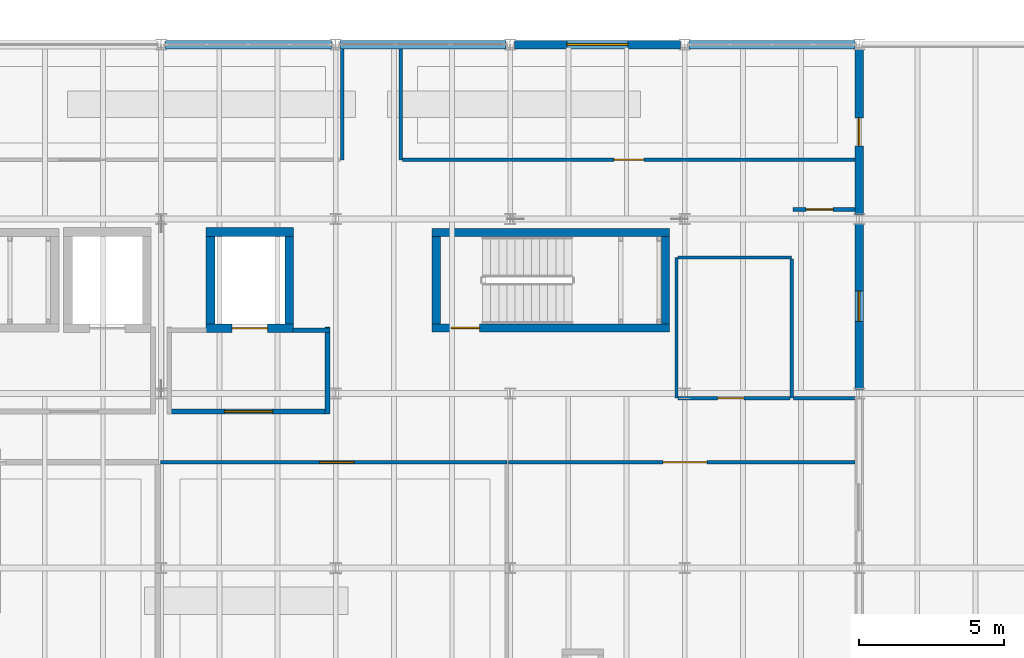
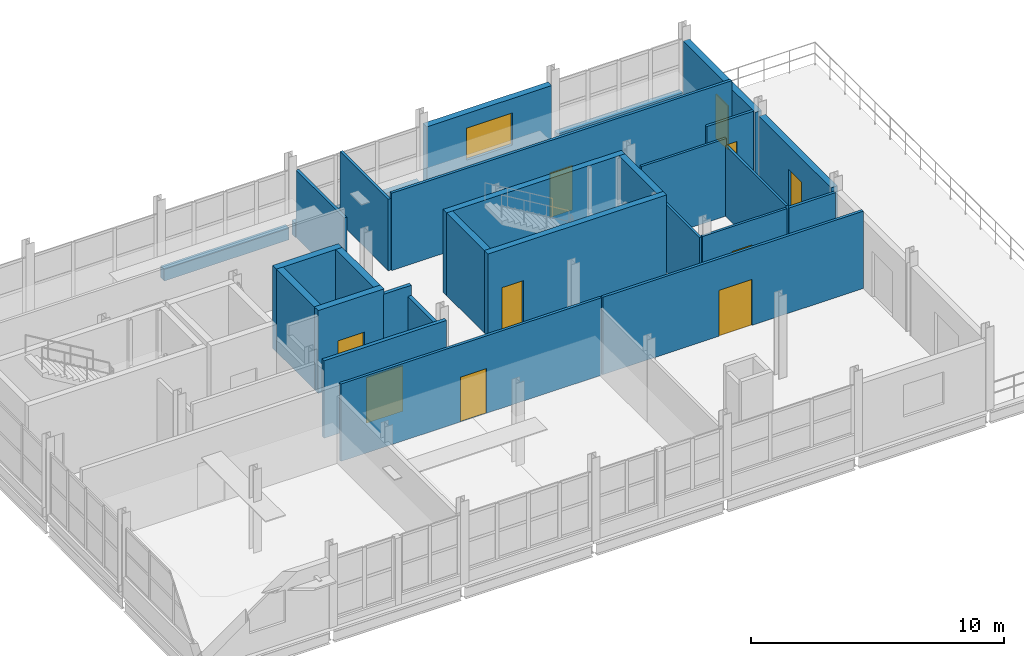
# One storey, part 39 of 45: 28 walls, 10 doors, 1 window, 11 openings.
"""IFC4 building model written with IfcOpenShell, lengths in metres."""

import ifcopenshell
import ifcopenshell.guid

model = None  # the IFC model being written
_history = None  # IfcOwnerHistory: only IFC2X3 demands one
_inside = {}  # id of a spatial element -> (the spatial element, [elements in it])
_under = {}  # id of a project, library or spatial element -> (it, [spatial elements below it])
_declared = {}  # id of a project -> (the project, [libraries it declares])
_typed = {}  # id of a type object -> (the type object, [elements of that type])
_made_of = {}  # id of a material, layer set ... -> (it, [elements and type objects made of it])


def new_model(schema):
    """Start an empty IFC model of exactly this schema.

    Asked for "IFC4X3", IfcOpenShell would pick the latest addendum, in which some entities
    have other attributes; the version numbers below select the first issue.
    IFC2X3 requires an IfcOwnerHistory on every rooted entity: one is made here for all.
    """
    global model, _history
    if schema == "IFC4X3":
        model = ifcopenshell.file(schema_version=(4, 3, 0, 0))
    else:
        model = ifcopenshell.file(schema=schema)
    _inside.clear()
    _under.clear()
    _declared.clear()
    _typed.clear()
    _made_of.clear()
    _history = None
    if model.schema == "IFC2X3":
        org = make("IfcOrganization", Name="unknown")
        user = make(
            "IfcPersonAndOrganization",
            ThePerson=make("IfcPerson", FamilyName="unknown"),
            TheOrganization=org,
        )
        app = make(
            "IfcApplication",
            ApplicationDeveloper=org,
            Version="unknown",
            ApplicationFullName="unknown",
            ApplicationIdentifier="unknown",
        )
        _history = make(
            "IfcOwnerHistory",
            OwningUser=user,
            OwningApplication=app,
            ChangeAction="ADDED",
            CreationDate=0,
        )
    return model


def make(cls, **values):
    """One entity of the class cls with the attributes given. An attribute that is None is left unset."""
    return model.create_entity(
        cls, **{name: value for name, value in values.items() if value is not None}
    )


def rooted(cls, **values):
    """An entity with a GlobalId (a new one), such as an element, a storey or a relation."""
    return make(cls, GlobalId=ifcopenshell.guid.new(), OwnerHistory=_history, **values)


def si_unit(unit_type, name, prefix=None):
    """IfcSIUnit, for example si_unit("LENGTHUNIT", "METRE", prefix="MILLI")."""
    return make("IfcSIUnit", UnitType=unit_type, Prefix=prefix, Name=name)


def assignment(units):
    """IfcUnitAssignment: the units of a project."""
    return None if units is None else make("IfcUnitAssignment", Units=units)


def point(xyz):
    """IfcCartesianPoint."""
    return None if xyz is None else make("IfcCartesianPoint", Coordinates=xyz)


def direction(xyz):
    """IfcDirection."""
    return None if xyz is None else make("IfcDirection", DirectionRatios=xyz)


def frame(location, z_axis=None, x_axis=None):
    """IfcAxis2Placement3D, a coordinate frame: its origin and axes. An axis left out is left unset."""
    return make(
        "IfcAxis2Placement3D",
        Location=point(location),
        Axis=direction(z_axis),
        RefDirection=direction(x_axis),
    )


def frame_2d(location, x_axis=None):
    """IfcAxis2Placement2D, a coordinate frame in the plane: its origin and x axis."""
    return make(
        "IfcAxis2Placement2D", Location=point(location), RefDirection=direction(x_axis)
    )


def origin():
    """The frame at (0, 0, 0) with its axes left unset."""
    return frame((0.0, 0.0, 0.0))


def place(relative_to, where):
    """IfcLocalPlacement: puts the frame where relative to a parent placement (None: the world)."""
    return make(
        "IfcLocalPlacement", PlacementRelTo=relative_to, RelativePlacement=where
    )


def context(
    kind, dimensions, precision=None, world=None, true_north=None, identifier=None
):
    """IfcGeometricRepresentationContext, for example the 3D "Model" context."""
    return make(
        "IfcGeometricRepresentationContext",
        ContextIdentifier=identifier,
        ContextType=kind,
        CoordinateSpaceDimension=dimensions,
        Precision=precision,
        WorldCoordinateSystem=world,
        TrueNorth=true_north,
    )


def subcontext(parent, identifier, kind, view, scale=None):
    """IfcGeometricRepresentationSubContext, for example "Body" below "Model"."""
    return make(
        "IfcGeometricRepresentationSubContext",
        ContextIdentifier=identifier,
        ContextType=kind,
        ParentContext=parent,
        TargetScale=scale,
        TargetView=view,
    )


def project(units=None, contexts=None):
    """IfcProject with its units and contexts."""
    return rooted(
        "IfcProject",
        Name="project",
        RepresentationContexts=contexts,
        UnitsInContext=assignment(units),
    )


def spatial(cls, under=None, at=None, **own):
    """A site, building, storey or space (cls), placed at a placement, below another one or the project."""
    s = rooted(cls, ObjectPlacement=at, **own)
    if under is not None:
        _under.setdefault(under.id(), (under, []))[1].append(s)
    return s


def profile(cls, at=None, kind="AREA", **sizes):
    """A parametric profile (cls). Its sizes go by their IFC names, for example OverallWidth=200.0."""
    return make(cls, ProfileType=kind, Position=at, **sizes)


def rectangle(**sizes):
    """IfcRectangleProfileDef."""
    return profile("IfcRectangleProfileDef", **sizes)


def extrude(swept, where, along, depth):
    """IfcExtrudedAreaSolid: the profile swept, set in the frame where, extruded along a direction by depth."""
    return make(
        "IfcExtrudedAreaSolid",
        SweptArea=swept,
        Position=where,
        ExtrudedDirection=direction(along),
        Depth=depth,
    )


def shape(context_of_items, identifier, shape_type, items):
    """IfcShapeRepresentation: the items that make up one representation, for example the "Body"."""
    return make(
        "IfcShapeRepresentation",
        ContextOfItems=context_of_items,
        RepresentationIdentifier=identifier,
        RepresentationType=shape_type,
        Items=items,
    )


def material(Name=None, Category=None):
    """IfcMaterial."""
    return make("IfcMaterial", Name=Name, Category=Category)


def layer(
    of_material, thickness, ventilated=None, Name=None, Category=None, Priority=None
):
    """IfcMaterialLayer: one layer of a wall or slab, of a material (None: an air gap)."""
    return make(
        "IfcMaterialLayer",
        Material=of_material,
        LayerThickness=thickness,
        IsVentilated=ventilated,
        Name=Name,
        Category=Category,
        Priority=Priority,
    )


def layer_set(layers, Name=None):
    """IfcMaterialLayerSet."""
    return make("IfcMaterialLayerSet", MaterialLayers=layers, LayerSetName=Name)


def made_of(thing, what):
    """Note that an element or type object is made of a material, layer set ...; save() writes the relation."""
    if what is not None:
        _made_of.setdefault(what.id(), (what, []))[1].append(thing)
    return thing


def type_object(cls, material=None, **own):
    """A type object (cls), such as IfcWallType, which elements share."""
    return made_of(rooted(cls, **own), material)


def element(
    cls,
    number,
    at=None,
    inside=None,
    cuts=None,
    type_object=None,
    material=None,
    context=None,
    identifier="Body",
    shape_type=None,
    held_by="IfcProductDefinitionShape",
    body=None,
    shapes=None,
    **own,
):
    """One element of the class cls, such as IfcWall. Its Tag is "e" and its number.

    at: its placement. inside: the storey or other place that contains it. cuts: it is an
    opening in that element (IfcRelVoidsElement). A single representation is given by context,
    identifier, shape_type and body (its items); several are given by shapes. held_by: the class
    of the entity that holds the representations. save() writes the other relations.
    """
    e = rooted(cls, Tag="e%d" % number, ObjectPlacement=at, **own)
    if body is not None:
        shapes = [shape(context, identifier, shape_type, body)]
    if shapes is not None:
        e.Representation = make(held_by, Representations=shapes)
    if inside is not None:
        _inside.setdefault(inside.id(), (inside, []))[1].append(e)
    if cuts is not None:
        rooted(
            "IfcRelVoidsElement", RelatingBuildingElement=cuts, RelatedOpeningElement=e
        )
    if type_object is not None:
        _typed.setdefault(type_object.id(), (type_object, []))[1].append(e)
    return made_of(e, material)


def fill(opening, filler):
    """IfcRelFillsElement: the door or window that sits in an opening."""
    return rooted(
        "IfcRelFillsElement",
        RelatingOpeningElement=opening,
        RelatedBuildingElement=filler,
    )


def aggregate(whole, parts):
    """IfcRelAggregates: a whole, such as a stair, and the parts it consists of."""
    return rooted("IfcRelAggregates", RelatingObject=whole, RelatedObjects=parts)


def save(model, path):
    """Write the relations noted so far, then the file.

    IfcRelAggregates (storeys below a building ...), IfcRelContainedInSpatialStructure (elements
    in a storey), IfcRelDefinesByType, IfcRelAssociatesMaterial and IfcRelDeclares: one each for
    every whole, place, type object, material and project.
    """
    for whole, parts in _under.values():
        aggregate(whole, parts)
    for where, things in _inside.values():
        rooted(
            "IfcRelContainedInSpatialStructure",
            RelatedElements=things,
            RelatingStructure=where,
        )
    for kind, things in _typed.values():
        rooted("IfcRelDefinesByType", RelatedObjects=things, RelatingType=kind)
    for what, things in _made_of.values():
        rooted("IfcRelAssociatesMaterial", RelatedObjects=things, RelatingMaterial=what)
    for by, libraries in _declared.values():
        rooted("IfcRelDeclares", RelatingContext=by, RelatedDefinitions=libraries)
    model.write(path)


model = new_model("IFC4")

# Units and contexts
model_context = context("Model", 3, precision=1e-05, world=origin(), true_north=direction((0.0, 1.0)))
body_context = subcontext(model_context, "Body", "Model", "MODEL_VIEW")
ifc_project = project(units=[si_unit("LENGTHUNIT", "METRE"), si_unit("AREAUNIT", "SQUARE_METRE"), si_unit("VOLUMEUNIT", "CUBIC_METRE"), si_unit("PLANEANGLEUNIT", "RADIAN"), si_unit("MASSUNIT", "GRAM", prefix="KILO")], contexts=[model_context])

# Site, building, storey
site_placement = place(None, origin())
site = spatial("IfcSite", under=ifc_project, at=site_placement, CompositionType="ELEMENT")
building_placement = place(site_placement, origin())
building = spatial("IfcBuilding", under=site, at=building_placement, Name="Siltcreek Boulevard Central Fire Station", CompositionType="ELEMENT")
storey_placement = place(building_placement, frame((0.0, 0.0, 10.0)))
storey = spatial("IfcBuildingStorey", under=building, at=storey_placement, Name="L03", CompositionType="ELEMENT", Elevation=10.0)

# Wall, opening, door
ifc_material_1 = material(Name="Concrete C40/50", Category="concrete")
ifc_layer_1 = layer(ifc_material_1, 0.280029296875, Name="Concrete C40/50")
ifc_layer_set_1 = layer_set([ifc_layer_1], Name="Concrete C40/50")
wall_type_1 = type_object("IfcWallType", Name="CW_SHEAR280", PredefinedType="SHEAR", material=ifc_layer_set_1)
wall_1_placement = place(storey_placement, frame((145.52001953125, 102.4599609375, 0.0), z_axis=(0.0, 0.0, 1.0), x_axis=(1.0, 0.0, 0.0)))
wall_1 = element("IfcWall", 1, at=wall_1_placement, inside=storey, type_object=wall_type_1, Name="L03 ST-V5B stair enclosure south shear wall", PredefinedType="SHEAR", context=body_context, shape_type="SweptSolid", body=[
    extrude(rectangle(XDim=8.159912109375, YDim=0.280029296875, at=frame_2d((4.080078125, 0.0))), origin(), (0.0, 0.0, 1.0), 4.0),
])
opening_1_placement = place(wall_1_placement, frame((0.64990234375, 0.0, 0.0)))
opening_1 = element("IfcOpeningElement", 2, at=opening_1_placement, cuts=wall_1, Name="Opening SD-041", PredefinedType="OPENING", context=body_context, shape_type="SweptSolid", body=[
    extrude(rectangle(XDim=0.97998046875, YDim=2.14990234375, at=frame_2d((0.489990234375, 1.074951171875))), frame((0.0, 0.14990234375, 0.0), z_axis=(0.0, -1.0, 0.0), x_axis=(1.0, 0.0, 0.0)), (0.0, 0.0, 1.0), 0.300048828125),
])
ifc_material_2 = material(Name="Hollow metal 90-min enclosed stair door")
door_type_1 = type_object("IfcDoorType", Name="DR_ST_098X215", OperationType="NOTDEFINED", PredefinedType="DOOR", material=ifc_material_2)
door_1_placement = place(opening_1_placement, origin())
door_1 = element("IfcDoor", 3, at=door_1_placement, inside=storey, type_object=door_type_1, Name="L03 ST-V5B enclosed exit stair door SD-041", OperationType="SINGLE_SWING_RIGHT", OverallHeight=2.14990234375, OverallWidth=0.97998046875, PredefinedType="DOOR", context=body_context, shape_type="SweptSolid", body=[
    extrude(rectangle(XDim=0.97998046875, YDim=2.14990234375, at=frame_2d((0.489990234375, 1.074951171875))), frame((0.0, 0.02490234375, 0.0), z_axis=(0.0, -1.0, 0.0), x_axis=(1.0, 0.0, 0.0)), (0.0, 0.0, 1.0), 0.050048828125),
])
fill(opening_1, door_1)

# Walls
wall_2_placement = place(storey_placement, frame((153.679931640625, 105.739990234375, 0.0), z_axis=(0.0, 0.0, 1.0), x_axis=(-1.0, 0.0, 0.0)))
element("IfcWall", 4, at=wall_2_placement, inside=storey, type_object=wall_type_1, Name="L03 ST-V5B stair enclosure north shear wall", PredefinedType="SHEAR", context=body_context, shape_type="SweptSolid", body=[
    extrude(rectangle(XDim=8.159912109375, YDim=0.280029296875, at=frame_2d((4.080078125, 0.0))), origin(), (0.0, 0.0, 1.0), 4.0),
])
for number, where, z_axis, x_axis, name in (
    (5, (145.659912109375, 105.60009765625, 0.0), (0.0, 0.0, 1.0), (0.0, -1.0, 0.0), "L03 ST-V5B stair enclosure west shear wall"),
    (6, (153.5400390625, 102.60009765625, 0.0), (0.0, 0.0, 1.0), (0.0, 1.0, 0.0), "L03 ST-V5B stair enclosure east shear wall"),
):
    element("IfcWall", number, at=place(storey_placement, frame(where, z_axis=z_axis, x_axis=x_axis)), inside=storey, type_object=wall_type_1, Name=name, PredefinedType="SHEAR", context=body_context, shape_type="SweptSolid", body=[
        extrude(rectangle(XDim=3.0, YDim=0.280029296875, at=frame_2d((1.5, 0.0))), origin(), (0.0, 0.0, 1.0), 4.0),
    ])

# Wall, opening, door
ifc_layer_2 = layer(ifc_material_1, 0.304931640625, Name="Concrete C40/50")
ifc_layer_set_2 = layer_set([ifc_layer_2], Name="Concrete C40/50")
wall_type_2 = type_object("IfcWallType", Name="CW_SHEAR305", PredefinedType="SHEAR", material=ifc_layer_set_2)
wall_3_placement = place(storey_placement, frame((137.7451171875, 102.447509765625, 0.0), z_axis=(0.0, 0.0, 1.0), x_axis=(1.0, 0.0, 0.0)))
wall_3 = element("IfcWall", 7, at=wall_3_placement, inside=storey, type_object=wall_type_2, Name="L03 EL-02 elevator shaft south shear wall", PredefinedType="SHEAR", context=body_context, shape_type="SweptSolid", body=[
    extrude(rectangle(XDim=3.009765625, YDim=0.304931640625, at=frame_2d((1.5048828125, 0.0))), origin(), (0.0, 0.0, 1.0), 4.0),
])
opening_2_placement = place(wall_3_placement, frame((0.89501953125, 0.0, 0.0)))
opening_2 = element("IfcOpeningElement", 8, at=opening_2_placement, cuts=wall_3, Name="Opening LD02", PredefinedType="OPENING", context=body_context, shape_type="SweptSolid", body=[
    extrude(rectangle(XDim=1.219970703125, YDim=2.219970703125, at=frame_2d((0.60986328125, 1.10986328125))), frame((0.0, 0.162353515625, 0.0), z_axis=(0.0, -1.0, 0.0), x_axis=(1.0, 0.0, 0.0)), (0.0, 0.0, 1.0), 0.324951171875),
])
ifc_material_3 = material(Name="Stainless steel firefighting sliding elevator landing door", Category="steel")
door_type_2 = type_object("IfcDoorType", Name="DR_LD_122X222", OperationType="NOTDEFINED", PredefinedType="DOOR", material=ifc_material_3)
door_2_placement = place(opening_2_placement, origin())
door_2 = element("IfcDoor", 9, at=door_2_placement, inside=storey, type_object=door_type_2, Name="L03 EL-02 elevator sliding landing door LD-10", OperationType="SLIDING_TO_LEFT", OverallHeight=2.219970703125, OverallWidth=1.219970703125, PredefinedType="DOOR", context=body_context, shape_type="SweptSolid", body=[
    extrude(rectangle(XDim=1.219970703125, YDim=2.219970703125, at=frame_2d((0.60986328125, 1.10986328125))), frame((0.0, 0.02490234375, 0.0), z_axis=(0.0, -1.0, 0.0), x_axis=(1.0, 0.0, 0.0)), (0.0, 0.0, 1.0), 0.050048828125),
])
fill(opening_2, door_2)

# Walls
wall_4_placement = place(storey_placement, frame((140.7548828125, 105.75244140625, 0.0), z_axis=(0.0, 0.0, 1.0), x_axis=(-1.0, 0.0, 0.0)))
element("IfcWall", 10, at=wall_4_placement, inside=storey, type_object=wall_type_2, Name="L03 EL-02 elevator shaft north shear wall", PredefinedType="SHEAR", context=body_context, shape_type="SweptSolid", body=[
    extrude(rectangle(XDim=3.009765625, YDim=0.304931640625, at=frame_2d((1.5048828125, 0.0))), origin(), (0.0, 0.0, 1.0), 4.0),
])
for number, where, z_axis, x_axis, name in (
    (11, (137.8974609375, 105.60009765625, 0.0), (0.0, 0.0, 1.0), (0.0, -1.0, 0.0), "L03 EL-02 elevator shaft west shear wall"),
    (12, (140.6025390625, 102.60009765625, 0.0), (0.0, 0.0, 1.0), (0.0, 1.0, 0.0), "L03 EL-02 elevator shaft east shear wall"),
):
    element("IfcWall", number, at=place(storey_placement, frame(where, z_axis=z_axis, x_axis=x_axis)), inside=storey, type_object=wall_type_2, Name=name, PredefinedType="SHEAR", context=body_context, shape_type="SweptSolid", body=[
        extrude(rectangle(XDim=3.0, YDim=0.304931640625, at=frame_2d((1.5, 0.0))), origin(), (0.0, 0.0, 1.0), 4.0),
    ])
ifc_material_4 = material(Name="White ribbed aluminum spandrel wall", Category="aluminium")
ifc_layer_3 = layer(ifc_material_4, 0.2900390625, Name="White ribbed aluminum spandrel wall")
ifc_layer_set_3 = layer_set([ifc_layer_3], Name="White ribbed aluminum spandrel wall")
wall_type_3 = type_object("IfcWallType", Name="EW_METAL290", PredefinedType="STANDARD", material=ifc_layer_set_3)
wall_5_placement = place(storey_placement, frame((142.054931640625, 112.199951171875, 0.0), z_axis=(0.0, 0.0, 1.0), x_axis=(-1.0, 0.0, 0.0)))
element("IfcWall", 13, at=wall_5_placement, inside=storey, type_object=wall_type_3, Name="L03 V5 curtain-wall sill spandrel 0383", PredefinedType="STANDARD", context=body_context, shape_type="SweptSolid", body=[
    extrude(rectangle(XDim=5.7099609375, YDim=0.2900390625, at=frame_2d((2.85498046875, 0.0))), origin(), (0.0, 0.0, 1.0), 0.56005859375),
])
wall_6_placement = place(storey_placement, frame((148.054931640625, 112.199951171875, 0.0), z_axis=(0.0, 0.0, 1.0), x_axis=(-1.0, 0.0, 0.0)))
element("IfcWall", 14, at=wall_6_placement, inside=storey, type_object=wall_type_3, Name="L03 V5 curtain-wall sill spandrel 0384", PredefinedType="STANDARD", context=body_context, shape_type="SweptSolid", body=[
    extrude(rectangle(XDim=5.7099609375, YDim=0.2900390625, at=frame_2d((2.85498046875, 0.0))), origin(), (0.0, 0.0, 1.0), 0.679931640625),
])

# Wall, opening, window
wall_7_placement = place(storey_placement, frame((154.054931640625, 112.199951171875, 0.0), z_axis=(0.0, 0.0, 1.0), x_axis=(-1.0, 0.0, 0.0)))
wall_7 = element("IfcWall", 15, at=wall_7_placement, inside=storey, type_object=wall_type_3, Name="L03 V5 exterior insulated rainscreen wall WL-EXT-L03-0385", PredefinedType="STANDARD", context=body_context, shape_type="SweptSolid", body=[
    extrude(rectangle(XDim=5.7099609375, YDim=0.2900390625, at=frame_2d((2.85498046875, 0.0))), origin(), (0.0, 0.0, 1.0), 3.2490234375),
])
opening_3_placement = place(wall_7_placement, frame((1.804931640625, 0.0, 1.0)))
opening_3 = element("IfcOpeningElement", 16, at=opening_3_placement, cuts=wall_7, Name="Opening WN15", PredefinedType="OPENING", context=body_context, shape_type="SweptSolid", body=[
    extrude(rectangle(XDim=2.10009765625, YDim=1.550048828125, at=frame_2d((1.050048828125, 0.77490234375))), frame((0.0, 0.155029296875, 0.0), z_axis=(0.0, -1.0, 0.0), x_axis=(1.0, 0.0, 0.0)), (0.0, 0.0, 1.0), 0.31005859375),
])
ifc_material_5 = material(Name="Thermally broken aluminum frame with low-E insulated glass", Category="aluminium")
window_type = type_object("IfcWindowType", Name="WN_PB_210X155", PartitioningType="SINGLE_PANEL", PredefinedType="WINDOW", material=ifc_material_5)
window_placement = place(opening_3_placement, origin())
window = element("IfcWindow", 17, at=window_placement, inside=storey, type_object=window_type, Name="L03 V5 exterior window WN-0156", OverallHeight=1.550048828125, OverallWidth=2.10009765625, PartitioningType="SINGLE_PANEL", PredefinedType="WINDOW", context=body_context, shape_type="SweptSolid", body=[
    extrude(rectangle(XDim=2.10009765625, YDim=1.550048828125, at=frame_2d((1.050048828125, 0.77490234375))), frame((0.0, 0.030029296875, 0.0), z_axis=(0.0, -1.0, 0.0), x_axis=(1.0, 0.0, 0.0)), (0.0, 0.0, 1.0), 0.06005859375),
])
fill(opening_3, window)

# Wall
wall_8_placement = place(storey_placement, frame((160.054931640625, 112.199951171875, 0.0), z_axis=(0.0, 0.0, 1.0), x_axis=(-1.0, 0.0, 0.0)))
element("IfcWall", 18, at=wall_8_placement, inside=storey, type_object=wall_type_3, Name="L03 V5 curtain-wall sill spandrel 0386", PredefinedType="STANDARD", context=body_context, shape_type="SweptSolid", body=[
    extrude(rectangle(XDim=5.7099609375, YDim=0.2900390625, at=frame_2d((2.85498046875, 0.0))), origin(), (0.0, 0.0, 1.0), 0.800048828125),
])

# Wall, opening, door
wall_9_placement = place(storey_placement, frame((160.199951171875, 100.344970703125, 0.0), z_axis=(0.0, 0.0, 1.0), x_axis=(0.0, 1.0, 0.0)))
wall_9 = element("IfcWall", 19, at=wall_9_placement, inside=storey, type_object=wall_type_3, Name="L03 V5 exterior insulated rainscreen wall WL-EXT-L03-0393", PredefinedType="STANDARD", context=body_context, shape_type="SweptSolid", body=[
    extrude(rectangle(XDim=5.7099609375, YDim=0.2900390625, at=frame_2d((2.85498046875, 0.0))), origin(), (0.0, 0.0, 1.0), 3.302978515625),
])
opening_4_placement = place(wall_9_placement, frame((2.3349609375, 0.0, 0.0)))
opening_4 = element("IfcOpeningElement", 20, at=opening_4_placement, cuts=wall_9, Name="Opening TD-031", PredefinedType="OPENING", context=body_context, shape_type="SweptSolid", body=[
    extrude(rectangle(XDim=1.0400390625, YDim=2.159912109375, at=frame_2d((0.52001953125, 1.080078125))), frame((0.0, 0.155029296875, 0.0), z_axis=(0.0, -1.0, 0.0), x_axis=(1.0, 0.0, 0.0)), (0.0, 0.0, 1.0), 0.31005859375),
])
ifc_material_6 = material(Name="Thermally broken glazed terrace single door")
door_type_3 = type_object("IfcDoorType", Name="DR_TER_104X216", OperationType="NOTDEFINED", PredefinedType="DOOR", material=ifc_material_6)
door_3_placement = place(opening_4_placement, frame((1.0400390625, 0.0, 0.0), z_axis=(0.0, 0.0, 1.0), x_axis=(-1.0, 0.0, 0.0)))
door_3 = element("IfcDoor", 21, at=door_3_placement, inside=storey, type_object=door_type_3, Name="L03 V5 outdoor terrace access door TD-031", OperationType="SINGLE_SWING_RIGHT", OverallHeight=2.159912109375, OverallWidth=1.0400390625, PredefinedType="DOOR", context=body_context, shape_type="SweptSolid", body=[
    extrude(rectangle(XDim=1.0400390625, YDim=2.159912109375, at=frame_2d((0.52001953125, 1.080078125))), frame((0.0, 0.02490234375, 0.0), z_axis=(0.0, -1.0, 0.0), x_axis=(1.0, 0.0, 0.0)), (0.0, 0.0, 1.0), 0.050048828125),
])
fill(opening_4, door_3)

wall_10_placement = place(storey_placement, frame((160.199951171875, 106.344970703125, 0.0), z_axis=(0.0, 0.0, 1.0), x_axis=(0.0, 1.0, 0.0)))
wall_10 = element("IfcWall", 22, at=wall_10_placement, inside=storey, type_object=wall_type_3, Name="L03 V5 exterior insulated rainscreen wall WL-EXT-L03-0394", PredefinedType="STANDARD", context=body_context, shape_type="SweptSolid", body=[
    extrude(rectangle(XDim=5.7099609375, YDim=0.2900390625, at=frame_2d((2.85498046875, 0.0))), origin(), (0.0, 0.0, 1.0), 3.302978515625),
])
opening_5_placement = place(wall_10_placement, frame((2.375, 0.0, 0.0)))
opening_5 = element("IfcOpeningElement", 23, at=opening_5_placement, cuts=wall_10, Name="Opening TD-032", PredefinedType="OPENING", context=body_context, shape_type="SweptSolid", body=[
    extrude(rectangle(XDim=0.9599609375, YDim=2.139892578125, at=frame_2d((0.47998046875, 1.06982421875))), frame((0.0, 0.155029296875, 0.0), z_axis=(0.0, -1.0, 0.0), x_axis=(1.0, 0.0, 0.0)), (0.0, 0.0, 1.0), 0.31005859375),
])
ifc_material_7 = material(Name="Thermally broken roof garden door")
door_type_4 = type_object("IfcDoorType", Name="DR_TER_096X214", OperationType="NOTDEFINED", PredefinedType="DOOR", material=ifc_material_7)
door_4_placement = place(opening_5_placement, frame((0.9599609375, 0.0, 0.0), z_axis=(0.0, 0.0, 1.0), x_axis=(-1.0, 0.0, 0.0)))
door_4 = element("IfcDoor", 24, at=door_4_placement, inside=storey, type_object=door_type_4, Name="L03 V5 outdoor terrace access door TD-032", OperationType="SINGLE_SWING_LEFT", OverallHeight=2.139892578125, OverallWidth=0.9599609375, PredefinedType="DOOR", context=body_context, shape_type="SweptSolid", body=[
    extrude(rectangle(XDim=0.9599609375, YDim=2.139892578125, at=frame_2d((0.47998046875, 1.06982421875))), frame((0.0, 0.02490234375, 0.0), z_axis=(0.0, -1.0, 0.0), x_axis=(1.0, 0.0, 0.0)), (0.0, 0.0, 1.0), 0.050048828125),
])
fill(opening_5, door_4)

ifc_material_8 = material(Name="Interior steel stud gypsum partition", Category="steel")
ifc_layer_4 = layer(ifc_material_8, 0.125, Name="Interior steel stud gypsum partition")
ifc_layer_set_4 = layer_set([ifc_layer_4], Name="Interior steel stud gypsum partition")
wall_type_4 = type_object("IfcWallType", Name="IW_PART125", PredefinedType="PARTITIONING", material=ifc_layer_set_4)
wall_11_placement = place(storey_placement, frame((136.179931640625, 97.840087890625, 0.0), z_axis=(0.0, 0.0, 1.0), x_axis=(1.0, 0.0, 0.0)))
wall_11 = element("IfcWall", 25, at=wall_11_placement, inside=storey, type_object=wall_type_4, Name="L03 Deputy Chief's Command Suite partition 0284", PredefinedType="PARTITIONING", context=body_context, shape_type="SweptSolid", body=[
    extrude(rectangle(XDim=11.902587890625, YDim=0.125, at=frame_2d((5.951171875, 0.0))), origin(), (0.0, 0.0, 1.0), 3.739990234375),
])
opening_6_placement = place(wall_11_placement, frame((5.471923828125, 0.0, 0.0)))
opening_6 = element("IfcOpeningElement", 26, at=opening_6_placement, cuts=wall_11, Name="Opening ID13", PredefinedType="OPENING", context=body_context, shape_type="SweptSolid", body=[
    extrude(rectangle(XDim=1.179931640625, YDim=2.159912109375, at=frame_2d((0.58984375, 1.080078125))), frame((0.0, 0.072509765625, 0.0), z_axis=(0.0, -1.0, 0.0), x_axis=(1.0, 0.0, 0.0)), (0.0, 0.0, 1.0), 0.14501953125),
])
ifc_material_9 = material(Name="Antimicrobial walk-in triage door")
door_type_5 = type_object("IfcDoorType", Name="DR_MED_118X216", OperationType="NOTDEFINED", PredefinedType="DOOR", material=ifc_material_9)
door_5_placement = place(opening_6_placement, frame((1.179931640625, 0.0, 0.0), z_axis=(0.0, 0.0, 1.0), x_axis=(-1.0, 0.0, 0.0)))
door_5 = element("IfcDoor", 27, at=door_5_placement, inside=storey, type_object=door_type_5, Name="L03 Deputy Chief's Command Suite door ID-0125", OperationType="SINGLE_SWING_RIGHT", OverallHeight=2.159912109375, OverallWidth=1.179931640625, PredefinedType="DOOR", context=body_context, shape_type="SweptSolid", body=[
    extrude(rectangle(XDim=1.179931640625, YDim=2.159912109375, at=frame_2d((0.58984375, 1.080078125))), frame((0.0, 0.02490234375, 0.0), z_axis=(0.0, -1.0, 0.0), x_axis=(1.0, 0.0, 0.0)), (0.0, 0.0, 1.0), 0.050048828125),
])
fill(opening_6, door_5)

wall_12_placement = place(storey_placement, frame((148.142578125, 97.840087890625, 0.0), z_axis=(0.0, 0.0, 1.0), x_axis=(1.0, 0.0, 0.0)))
wall_12 = element("IfcWall", 28, at=wall_12_placement, inside=storey, type_object=wall_type_4, Name="L03 Executive Strategy Briefing Room partition 0286", PredefinedType="PARTITIONING", context=body_context, shape_type="SweptSolid", body=[
    extrude(rectangle(XDim=11.912353515625, YDim=0.125, at=frame_2d((5.9560546875, 0.0))), origin(), (0.0, 0.0, 1.0), 3.739990234375),
])
opening_7_placement = place(wall_12_placement, frame((5.318359375, 0.0, 0.0)))
opening_7 = element("IfcOpeningElement", 29, at=opening_7_placement, cuts=wall_12, Name="Opening ID14", PredefinedType="OPENING", context=body_context, shape_type="SweptSolid", body=[
    extrude(rectangle(XDim=1.5, YDim=2.219970703125, at=frame_2d((0.75, 1.10986328125))), frame((0.0, 0.072509765625, 0.0), z_axis=(0.0, -1.0, 0.0), x_axis=(1.0, 0.0, 0.0)), (0.0, 0.0, 1.0), 0.14501953125),
])
ifc_material_10 = material(Name="Glazed conditioning gym pair")
door_type_6 = type_object("IfcDoorType", Name="DR_GYM_150X222", OperationType="NOTDEFINED", PredefinedType="DOOR", material=ifc_material_10)
door_6_placement = place(opening_7_placement, origin())
door_6 = element("IfcDoor", 30, at=door_6_placement, inside=storey, type_object=door_type_6, Name="L03 Executive Strategy Briefing Room door ID-0126", OperationType="SINGLE_SWING_LEFT", OverallHeight=2.219970703125, OverallWidth=1.5, PredefinedType="DOOR", context=body_context, shape_type="SweptSolid", body=[
    extrude(rectangle(XDim=1.5, YDim=2.219970703125, at=frame_2d((0.75, 1.10986328125))), frame((0.0, 0.02490234375, 0.0), z_axis=(0.0, -1.0, 0.0), x_axis=(1.0, 0.0, 0.0)), (0.0, 0.0, 1.0), 0.050048828125),
])
fill(opening_7, door_6)

# Walls
wall_13_placement = place(storey_placement, frame((142.429931640625, 112.054931640625, 0.0), z_axis=(0.0, 0.0, 1.0), x_axis=(0.0, -1.0, 0.0)))
element("IfcWall", 31, at=wall_13_placement, inside=storey, type_object=wall_type_4, Name="L03 Emergency Legal and Policy Office partition 0287", PredefinedType="PARTITIONING", context=body_context, shape_type="SweptSolid", body=[
    extrude(rectangle(XDim=3.8173828125, YDim=0.125, at=frame_2d((1.90869140625, 0.0))), origin(), (0.0, 0.0, 1.0), 3.2529296875),
])
wall_14_placement = place(storey_placement, frame((144.43994140625, 108.237548828125, 0.0), z_axis=(0.0, 0.0, 1.0), x_axis=(0.0, 1.0, 0.0)))
element("IfcWall", 32, at=wall_14_placement, inside=storey, type_object=wall_type_4, Name="L03 Medical Director Oversight Suite partition 0289", PredefinedType="PARTITIONING", context=body_context, shape_type="SweptSolid", body=[
    extrude(rectangle(XDim=3.8173828125, YDim=0.125, at=frame_2d((1.90869140625, 0.0))), origin(), (0.0, 0.0, 1.0), 3.449951171875),
])

# Wall, opening, door
wall_15_placement = place(storey_placement, frame((160.054931640625, 108.239990234375, 0.0), z_axis=(0.0, 0.0, 1.0), x_axis=(-1.0, 0.0, 0.0)))
wall_15 = element("IfcWall", 33, at=wall_15_placement, inside=storey, type_object=wall_type_4, Name="L03 Medical Director Oversight Suite partition 0290", PredefinedType="PARTITIONING", context=body_context, shape_type="SweptSolid", body=[
    extrude(rectangle(XDim=15.552490234375, YDim=0.125, at=frame_2d((7.7763671875, 0.0))), origin(), (0.0, 0.0, 1.0), 3.739990234375),
])
opening_8_placement = place(wall_15_placement, frame((7.26123046875, 0.0, 0.0)))
opening_8 = element("IfcOpeningElement", 34, at=opening_8_placement, cuts=wall_15, Name="Opening ID01", PredefinedType="OPENING", context=body_context, shape_type="SweptSolid", body=[
    extrude(rectangle(XDim=1.030029296875, YDim=2.14990234375, at=frame_2d((0.51513671875, 1.074951171875))), frame((0.0, 0.072509765625, 0.0), z_axis=(0.0, -1.0, 0.0), x_axis=(1.0, 0.0, 0.0)), (0.0, 0.0, 1.0), 0.14501953125),
])
ifc_material_11 = material(Name="Solid-core timber acoustic classroom door", Category="wood")
door_type_7 = type_object("IfcDoorType", Name="DR_CLS_103X215", OperationType="NOTDEFINED", PredefinedType="DOOR", material=ifc_material_11)
door_7_placement = place(opening_8_placement, frame((1.030029296875, 0.0, 0.0), z_axis=(0.0, 0.0, 1.0), x_axis=(-1.0, 0.0, 0.0)))
door_7 = element("IfcDoor", 35, at=door_7_placement, inside=storey, type_object=door_type_7, Name="L03 Medical Director Oversight Suite door ID-0128", OperationType="SINGLE_SWING_LEFT", OverallHeight=2.14990234375, OverallWidth=1.030029296875, PredefinedType="DOOR", context=body_context, shape_type="SweptSolid", body=[
    extrude(rectangle(XDim=1.030029296875, YDim=2.14990234375, at=frame_2d((0.51513671875, 1.074951171875))), frame((0.0, 0.02490234375, 0.0), z_axis=(0.0, -1.0, 0.0), x_axis=(1.0, 0.0, 0.0)), (0.0, 0.0, 1.0), 0.050048828125),
])
fill(opening_8, door_7)

wall_16_placement = place(storey_placement, frame((157.91748046875, 106.530029296875, 0.0), z_axis=(0.0, 0.0, 1.0), x_axis=(1.0, 0.0, 0.0)))
wall_16 = element("IfcWall", 36, at=wall_16_placement, inside=storey, type_object=wall_type_4, Name="L03 Command Briefing Pantry partition 0295", PredefinedType="PARTITIONING", context=body_context, shape_type="SweptSolid", body=[
    extrude(rectangle(XDim=2.137451171875, YDim=0.125, at=frame_2d((1.06884765625, 0.0))), origin(), (0.0, 0.0, 1.0), 3.299072265625),
])
opening_9_placement = place(wall_16_placement, frame((0.455810546875, 0.0, 0.0)))
opening_9 = element("IfcOpeningElement", 37, at=opening_9_placement, cuts=wall_16, Name="Opening ID03", PredefinedType="OPENING", context=body_context, shape_type="SweptSolid", body=[
    extrude(rectangle(XDim=0.929931640625, YDim=2.10009765625, at=frame_2d((0.46484375, 1.050048828125))), frame((0.0, 0.072509765625, 0.0), z_axis=(0.0, -1.0, 0.0), x_axis=(1.0, 0.0, 0.0)), (0.0, 0.0, 1.0), 0.14501953125),
])
ifc_material_12 = material(Name="Solid-core timber station office door", Category="wood")
door_type_8 = type_object("IfcDoorType", Name="DR_OFF_093X210", OperationType="NOTDEFINED", PredefinedType="DOOR", material=ifc_material_12)
door_8_placement = place(opening_9_placement, frame((0.929931640625, 0.0, 0.0), z_axis=(0.0, 0.0, 1.0), x_axis=(-1.0, 0.0, 0.0)))
door_8 = element("IfcDoor", 38, at=door_8_placement, inside=storey, type_object=door_type_8, Name="L03 Command Briefing Pantry door ID-0130", OperationType="SINGLE_SWING_LEFT", OverallHeight=2.10009765625, OverallWidth=0.929931640625, PredefinedType="DOOR", context=body_context, shape_type="SweptSolid", body=[
    extrude(rectangle(XDim=0.929931640625, YDim=2.10009765625, at=frame_2d((0.46484375, 1.050048828125))), frame((0.0, 0.02490234375, 0.0), z_axis=(0.0, -1.0, 0.0), x_axis=(1.0, 0.0, 0.0)), (0.0, 0.0, 1.0), 0.050048828125),
])
fill(opening_9, door_8)

# Walls
wall_17_placement = place(storey_placement, frame((160.054931640625, 100.0400390625, 0.0), z_axis=(0.0, 0.0, 1.0), x_axis=(-1.0, 0.0, 0.0)))
element("IfcWall", 39, at=wall_17_placement, inside=storey, type_object=wall_type_4, Name="L03 Command Briefing Pantry partition 0296", PredefinedType="PARTITIONING", context=body_context, shape_type="SweptSolid", body=[
    extrude(rectangle(XDim=2.119873046875, YDim=0.125, at=frame_2d((1.06005859375, 0.0))), origin(), (0.0, 0.0, 1.0), 3.299072265625),
])
ifc_material_13 = material(Name="Acoustic smoke-barrier steel stud gypsum wall", Category="steel")
ifc_layer_5 = layer(ifc_material_13, 0.1650390625, Name="Acoustic smoke-barrier steel stud gypsum wall")
ifc_layer_set_5 = layer_set([ifc_layer_5], Name="Acoustic smoke-barrier steel stud gypsum wall")
wall_type_5 = type_object("IfcWallType", Name="IW_SMK165", PredefinedType="PARTITIONING", material=ifc_layer_set_5)
wall_18_placement = place(storey_placement, frame((141.919921875, 102.487548828125, 0.0), z_axis=(0.0, 0.0, 1.0), x_axis=(0.0, -1.0, 0.0)))
element("IfcWall", 40, at=wall_18_placement, inside=storey, type_object=wall_type_5, Name="L03 EL-02 elevator lobby E smoke partition", PredefinedType="PARTITIONING", context=body_context, shape_type="SweptSolid", body=[
    extrude(rectangle(XDim=2.987548828125, YDim=0.1650390625, at=frame_2d((1.49365234375, 0.0))), origin(), (0.0, 0.0, 1.0), 3.2529296875),
])
wall_19_placement = place(storey_placement, frame((140.735107421875, 102.375, 0.0), z_axis=(0.0, 0.0, 1.0), x_axis=(1.0, 0.0, 0.0)))
element("IfcWall", 41, at=wall_19_placement, inside=storey, type_object=wall_type_5, Name="L03 EL-02 elevator lobby NE smoke partition", PredefinedType="PARTITIONING", context=body_context, shape_type="SweptSolid", body=[
    extrude(rectangle(XDim=1.264892578125, YDim=0.1650390625, at=frame_2d((0.63232421875, 0.0))), origin(), (0.0, 0.0, 1.0), 3.739990234375),
])

# Wall, opening, door
wall_20_placement = place(storey_placement, frame((136.39990234375, 99.580078125, 0.0), z_axis=(0.0, 0.0, 1.0), x_axis=(1.0, 0.0, 0.0)))
wall_20 = element("IfcWall", 42, at=wall_20_placement, inside=storey, type_object=wall_type_5, Name="L03 EL-02 elevator lobby south smoke partition", PredefinedType="PARTITIONING", context=body_context, shape_type="SweptSolid", body=[
    extrude(rectangle(XDim=5.60009765625, YDim=0.1650390625, at=frame_2d((2.800048828125, 0.0))), origin(), (0.0, 0.0, 1.0), 3.739990234375),
])
opening_10_placement = place(wall_20_placement, frame((1.969970703125, 0.0, 0.0)))
opening_10 = element("IfcOpeningElement", 43, at=opening_10_placement, cuts=wall_20, Name="Opening FD02", PredefinedType="OPENING", context=body_context, shape_type="SweptSolid", body=[
    extrude(rectangle(XDim=1.659912109375, YDim=2.199951171875, at=frame_2d((0.830078125, 1.10009765625))), frame((0.0, 0.092529296875, 0.0), z_axis=(0.0, -1.0, 0.0), x_axis=(1.0, 0.0, 0.0)), (0.0, 0.0, 1.0), 0.18505859375),
])
ifc_material_14 = material(Name="Hollow metal smoke-barrier elevator lobby pair")
door_type_9 = type_object("IfcDoorType", Name="DR_LOB_166X220", OperationType="NOTDEFINED", PredefinedType="DOOR", material=ifc_material_14)
door_9_placement = place(opening_10_placement, frame((1.659912109375, 0.0, 0.0), z_axis=(0.0, 0.0, 1.0), x_axis=(-1.0, 0.0, 0.0)))
door_9 = element("IfcDoor", 44, at=door_9_placement, inside=storey, type_object=door_type_9, Name="L03 EL-02 elevator lobby smoke door", OperationType="DOUBLE_DOOR_SINGLE_SWING", OverallHeight=2.199951171875, OverallWidth=1.659912109375, PredefinedType="DOOR", context=body_context, shape_type="SweptSolid", body=[
    extrude(rectangle(XDim=1.659912109375, YDim=2.199951171875, at=frame_2d((0.830078125, 1.10009765625))), frame((0.0, 0.02490234375, 0.0), z_axis=(0.0, -1.0, 0.0), x_axis=(1.0, 0.0, 0.0)), (0.0, 0.0, 1.0), 0.050048828125),
])
fill(opening_10, door_9)

# Walls
ifc_material_15 = material(Name="Moisture-resistant tile backer toilet partition", Category="gypsum")
ifc_layer_6 = layer(ifc_material_15, 0.110107421875, Name="Moisture-resistant tile backer toilet partition")
ifc_layer_set_6 = layer_set([ifc_layer_6], Name="Moisture-resistant tile backer toilet partition")
wall_type_6 = type_object("IfcWallType", Name="IW_WET110", PredefinedType="PARTITIONING", material=ifc_layer_set_6)
wall_21_placement = place(storey_placement, frame((153.919921875, 100.044921875, 0.0), z_axis=(0.0, 0.0, 1.0), x_axis=(0.0, 1.0, 0.0)))
element("IfcWall", 45, at=wall_21_placement, inside=storey, type_object=wall_type_6, Name="L03 Command Accessible Toilet L03 partition 0291", PredefinedType="PARTITIONING", context=body_context, shape_type="SweptSolid", body=[
    extrude(rectangle(XDim=4.830078125, YDim=0.110107421875, at=frame_2d((2.4150390625, 0.0))), origin(), (0.0, 0.0, 1.0), 3.2529296875),
])
wall_22_placement = place(storey_placement, frame((153.97509765625, 104.8798828125, 0.0), z_axis=(0.0, 0.0, 1.0), x_axis=(1.0, 0.0, 0.0)))
element("IfcWall", 46, at=wall_22_placement, inside=storey, type_object=wall_type_6, Name="L03 Command Accessible Toilet L03 partition 0292", PredefinedType="PARTITIONING", context=body_context, shape_type="SweptSolid", body=[
    extrude(rectangle(XDim=3.89990234375, YDim=0.110107421875, at=frame_2d((1.949951171875, 0.0))), origin(), (0.0, 0.0, 1.0), 3.739990234375),
])
wall_23_placement = place(storey_placement, frame((157.8798828125, 104.824951171875, 0.0), z_axis=(0.0, 0.0, 1.0), x_axis=(0.0, -1.0, 0.0)))
element("IfcWall", 47, at=wall_23_placement, inside=storey, type_object=wall_type_6, Name="L03 Command Accessible Toilet L03 partition 0293", PredefinedType="PARTITIONING", context=body_context, shape_type="SweptSolid", body=[
    extrude(rectangle(XDim=4.780029296875, YDim=0.110107421875, at=frame_2d((2.39013671875, 0.0))), origin(), (0.0, 0.0, 1.0), 3.404052734375),
])

# Wall, opening, door
wall_24_placement = place(storey_placement, frame((157.824951171875, 100.0400390625, 0.0), z_axis=(0.0, 0.0, 1.0), x_axis=(-1.0, 0.0, 0.0)))
wall_24 = element("IfcWall", 48, at=wall_24_placement, inside=storey, type_object=wall_type_6, Name="L03 Command Accessible Toilet L03 partition 0294", PredefinedType="PARTITIONING", context=body_context, shape_type="SweptSolid", body=[
    extrude(rectangle(XDim=3.849853515625, YDim=0.110107421875, at=frame_2d((1.9248046875, 0.0))), origin(), (0.0, 0.0, 1.0), 3.299072265625),
])
opening_11_placement = place(wall_24_placement, frame((1.594482421875, 0.0, 0.0)))
opening_11 = element("IfcOpeningElement", 49, at=opening_11_placement, cuts=wall_24, Name="Opening ID08", PredefinedType="OPENING", context=body_context, shape_type="SweptSolid", body=[
    extrude(rectangle(XDim=0.89990234375, YDim=2.10009765625, at=frame_2d((0.449951171875, 1.050048828125))), frame((0.0, 0.06494140625, 0.0), z_axis=(0.0, -1.0, 0.0), x_axis=(1.0, 0.0, 0.0)), (0.0, 0.0, 1.0), 0.130126953125),
])
ifc_material_16 = material(Name="Moisture-resistant accessible toilet door")
door_type_10 = type_object("IfcDoorType", Name="DR_WC_090X210", OperationType="NOTDEFINED", PredefinedType="DOOR", material=ifc_material_16)
door_10_placement = place(opening_11_placement, frame((0.89990234375, 0.0, 0.0), z_axis=(0.0, 0.0, 1.0), x_axis=(-1.0, 0.0, 0.0)))
door_10 = element("IfcDoor", 50, at=door_10_placement, inside=storey, type_object=door_type_10, Name="L03 Command Accessible Toilet L03 door ID-0129", OperationType="SINGLE_SWING_RIGHT", OverallHeight=2.10009765625, OverallWidth=0.89990234375, PredefinedType="DOOR", context=body_context, shape_type="SweptSolid", body=[
    extrude(rectangle(XDim=0.89990234375, YDim=2.10009765625, at=frame_2d((0.449951171875, 1.050048828125))), frame((0.0, 0.02490234375, 0.0), z_axis=(0.0, -1.0, 0.0), x_axis=(1.0, 0.0, 0.0)), (0.0, 0.0, 1.0), 0.050048828125),
])
fill(opening_11, door_10)

save(model, "model.ifc")
